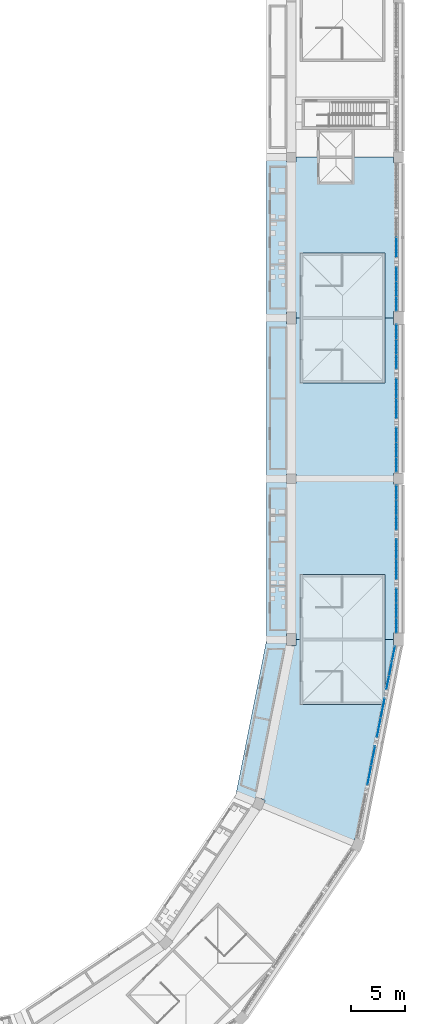
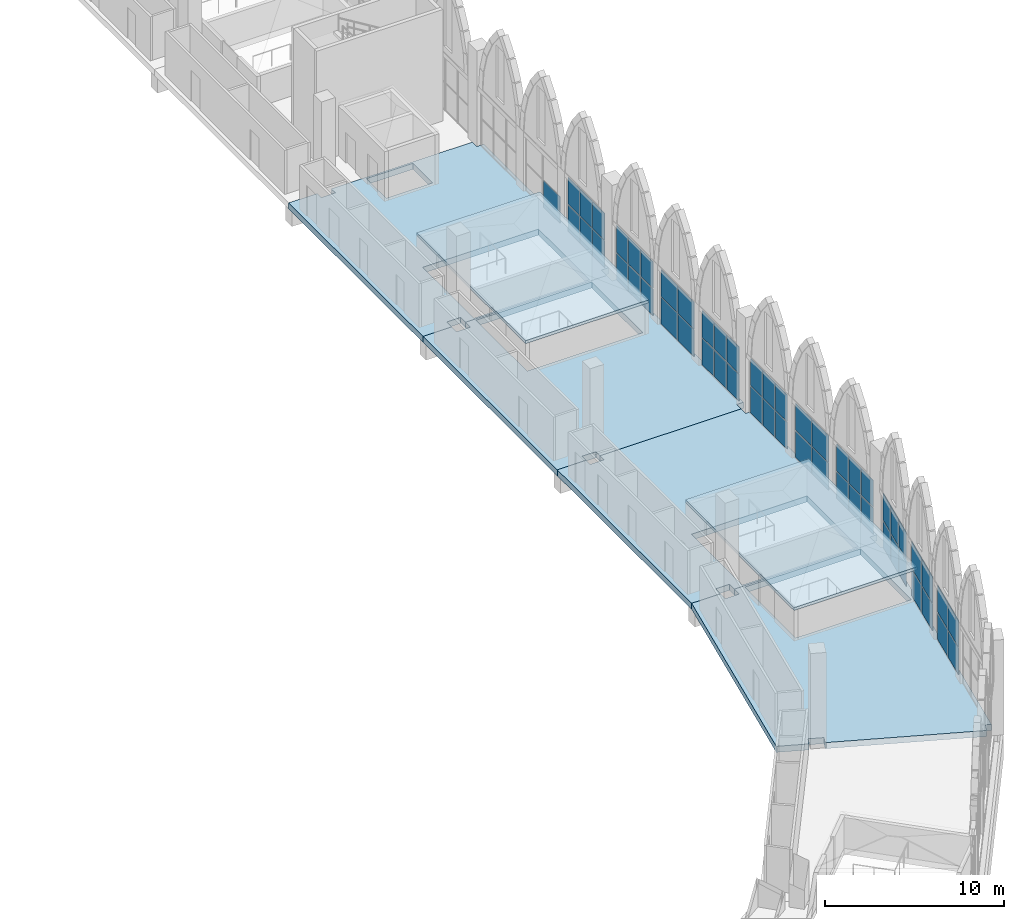
# One storey, part 55 of 130: 53 plates, 6 slabs, 11 elements without a shape of their own.
"""IFC4 building model written with IfcOpenShell, lengths in metres."""

from ifc_helpers import new_model, si_unit, direction, frame, origin, origin_2d, place, context, subcontext, project, spatial, polyline, rectangle, outline, extrude, material, layer, layer_set, type_object, element, aggregate, save


model = new_model("IFC4")

# Units and contexts
model_context = context("Model", 3, precision=1e-05, world=origin(), true_north=direction((0.0, 1.0)))
body_context = subcontext(model_context, "Body", "Model", "MODEL_VIEW")
ifc_project = project(units=[si_unit("LENGTHUNIT", "METRE"), si_unit("AREAUNIT", "SQUARE_METRE"), si_unit("VOLUMEUNIT", "CUBIC_METRE"), si_unit("PLANEANGLEUNIT", "RADIAN"), si_unit("MASSUNIT", "GRAM", prefix="KILO")], contexts=[model_context])

# Site, building, storey
site_placement = place(None, origin())
site = spatial("IfcSite", under=ifc_project, at=site_placement, CompositionType="ELEMENT")
building_placement = place(site_placement, origin())
building = spatial("IfcBuilding", under=site, at=building_placement, Name="Ogive Plaza Stadium", CompositionType="ELEMENT")
storey_placement = place(building_placement, frame((0.0, 0.0, 22.5)))
storey = spatial("IfcBuildingStorey", under=building, at=storey_placement, Name="L05", CompositionType="ELEMENT", Elevation=22.5)

# Slabs
ifc_material_1 = material(Name="Concrete C40/50", Category="concrete")
ifc_layer_1 = layer(ifc_material_1, 0.199951171875)
ifc_layer_set_1 = layer_set([ifc_layer_1], Name="Concrete C40/50")
slab_type_1 = type_object("IfcSlabType", Name="Core roof slab", PredefinedType="ROOF", material=ifc_layer_set_1)
slab_1_placement = place(storey_placement, frame((0.0, 0.0, 2.10009765625)))
element("IfcSlab", 1, at=slab_1_placement, inside=storey, type_object=slab_type_1, Name="Stair core R06 roof", PredefinedType="ROOF", context=body_context, shape_type="SweptSolid", body=[
    extrude(outline(polyline([(74.800048828125, -28.574951171875), (82.760009765625, -28.574951171875), (82.760009765625, -16.425048828125), (74.800048828125, -16.425048828125), (74.800048828125, -28.574951171875)])), origin(), (0.0, 0.0, 1.0), 0.199951171875),
])
slab_2_placement = place(storey_placement, frame((0.0, 0.0, 2.10009765625)))
element("IfcSlab", 2, at=slab_2_placement, inside=storey, type_object=slab_type_1, Name="Stair core R08 roof", PredefinedType="ROOF", context=body_context, shape_type="SweptSolid", body=[
    extrude(outline(polyline([(74.800048828125, -58.574951171875), (82.760009765625, -58.574951171875), (82.760009765625, -46.425048828125), (74.800048828125, -46.425048828125), (74.800048828125, -58.574951171875)])), origin(), (0.0, 0.0, 1.0), 0.199951171875),
])

# Curtain wall, plate
ifc_material_2 = material(Name="Bronze-anodised aluminium with laminated glass", Category="aluminium")
curtain_wall_type = type_object("IfcCurtainWallType", Name="Lancet curtain wall", PredefinedType="NOTDEFINED", material=ifc_material_2)
curtain_wall_1_placement = place(storey_placement, origin())
curtain_wall_1 = element("IfcCurtainWall", 3, at=curtain_wall_1_placement, inside=storey, type_object=curtain_wall_type, Name="CURTAIN WALL B05 L05", PredefinedType="NOTDEFINED")
ifc_material_3 = material(Name="Laminated glass", Category="glass")
ifc_layer_2 = layer(ifc_material_3, 0.028076171875)
ifc_layer_set_2 = layer_set([ifc_layer_2], Name="Laminated glass panel 28")
plate_type = type_object("IfcPlateType", Name="Laminated glass panel 28", PredefinedType="CURTAIN_PANEL", material=ifc_layer_set_2)
plate_1_placement = place(storey_placement, frame((83.800048828125, -15.9375, 0.0498046875), z_axis=(0.0, 0.0, 1.0), x_axis=(0.0, -1.0, 0.0)))
plate_1 = element("IfcPlate", 4, at=plate_1_placement, type_object=plate_type, Name="CW-B05-L05.2 panel 2.1", PredefinedType="CURTAIN_PANEL", context=body_context, shape_type="SweptSolid", body=[
    extrude(rectangle(XDim=1.824951171875, YDim=0.028076171875, at=origin_2d()), origin(), (0.0, 0.0, 1.0), 1.824951171875),
])
aggregate(curtain_wall_1, [plate_1])

# Curtain wall, plates
curtain_wall_2_placement = place(storey_placement, origin())
curtain_wall_2 = element("IfcCurtainWall", 5, at=curtain_wall_2_placement, inside=storey, type_object=curtain_wall_type, Name="CURTAIN WALL B05 L05", PredefinedType="NOTDEFINED")
plate_2_placement = place(storey_placement, frame((83.800048828125, -18.41259765625, 0.0498046875), z_axis=(0.0, 0.0, 1.0), x_axis=(0.0, -1.0, 0.0)))
plate_2 = element("IfcPlate", 6, at=plate_2_placement, type_object=plate_type, Name="CW-B05-L05.3 panel 1.1", PredefinedType="CURTAIN_PANEL", context=body_context, shape_type="SweptSolid", body=[
    extrude(rectangle(XDim=1.324951171875, YDim=0.028076171875, at=origin_2d()), origin(), (0.0, 0.0, 1.0), 1.824951171875),
])
plate_3_placement = place(storey_placement, frame((83.800048828125, -18.41259765625, 1.9248046875), z_axis=(0.0, 0.0, 1.0), x_axis=(0.0, -1.0, 0.0)))
plate_3 = element("IfcPlate", 7, at=plate_3_placement, type_object=plate_type, Name="CW-B05-L05.3 panel 1.2", PredefinedType="CURTAIN_PANEL", context=body_context, shape_type="SweptSolid", body=[
    extrude(rectangle(XDim=1.324951171875, YDim=0.028076171875, at=origin_2d()), origin(), (0.0, 0.0, 1.0), 1.824951171875),
])
plate_4_placement = place(storey_placement, frame((83.800048828125, -19.800048828125, 0.0498046875), z_axis=(0.0, 0.0, 1.0), x_axis=(0.0, -1.0, 0.0)))
plate_4 = element("IfcPlate", 8, at=plate_4_placement, type_object=plate_type, Name="CW-B05-L05.3 panel 2.1", PredefinedType="CURTAIN_PANEL", context=body_context, shape_type="SweptSolid", body=[
    extrude(rectangle(XDim=1.35009765625, YDim=0.028076171875, at=origin_2d()), origin(), (0.0, 0.0, 1.0), 1.824951171875),
])
plate_5_placement = place(storey_placement, frame((83.800048828125, -19.800048828125, 1.9248046875), z_axis=(0.0, 0.0, 1.0), x_axis=(0.0, -1.0, 0.0)))
plate_5 = element("IfcPlate", 9, at=plate_5_placement, type_object=plate_type, Name="CW-B05-L05.3 panel 2.2", PredefinedType="CURTAIN_PANEL", context=body_context, shape_type="SweptSolid", body=[
    extrude(rectangle(XDim=1.35009765625, YDim=0.028076171875, at=origin_2d()), origin(), (0.0, 0.0, 1.0), 1.824951171875),
])
plate_6_placement = place(storey_placement, frame((83.800048828125, -21.1875, 0.0498046875), z_axis=(0.0, 0.0, 1.0), x_axis=(0.0, -1.0, 0.0)))
plate_6 = element("IfcPlate", 10, at=plate_6_placement, type_object=plate_type, Name="CW-B05-L05.3 panel 3.1", PredefinedType="CURTAIN_PANEL", context=body_context, shape_type="SweptSolid", body=[
    extrude(rectangle(XDim=1.324951171875, YDim=0.028076171875, at=origin_2d()), origin(), (0.0, 0.0, 1.0), 1.824951171875),
])
plate_7_placement = place(storey_placement, frame((83.800048828125, -21.1875, 1.9248046875), z_axis=(0.0, 0.0, 1.0), x_axis=(0.0, -1.0, 0.0)))
plate_7 = element("IfcPlate", 11, at=plate_7_placement, type_object=plate_type, Name="CW-B05-L05.3 panel 3.2", PredefinedType="CURTAIN_PANEL", context=body_context, shape_type="SweptSolid", body=[
    extrude(rectangle(XDim=1.324951171875, YDim=0.028076171875, at=origin_2d()), origin(), (0.0, 0.0, 1.0), 1.824951171875),
])
aggregate(curtain_wall_2, [plate_2, plate_3, plate_4, plate_5, plate_6, plate_7])

curtain_wall_3_placement = place(storey_placement, origin())
curtain_wall_3 = element("IfcCurtainWall", 12, at=curtain_wall_3_placement, inside=storey, type_object=curtain_wall_type, Name="CURTAIN WALL B06 L05", PredefinedType="NOTDEFINED")
plate_8_placement = place(storey_placement, frame((83.800048828125, -23.8125, 0.0498046875), z_axis=(0.0, 0.0, 1.0), x_axis=(0.0, -1.0, 0.0)))
plate_8 = element("IfcPlate", 13, at=plate_8_placement, type_object=plate_type, Name="CW-B06-L05.1 panel 1.1", PredefinedType="CURTAIN_PANEL", context=body_context, shape_type="SweptSolid", body=[
    extrude(rectangle(XDim=1.324951171875, YDim=0.028076171875, at=origin_2d()), origin(), (0.0, 0.0, 1.0), 1.824951171875),
])
plate_9_placement = place(storey_placement, frame((83.800048828125, -23.8125, 1.9248046875), z_axis=(0.0, 0.0, 1.0), x_axis=(0.0, -1.0, 0.0)))
plate_9 = element("IfcPlate", 14, at=plate_9_placement, type_object=plate_type, Name="CW-B06-L05.1 panel 1.2", PredefinedType="CURTAIN_PANEL", context=body_context, shape_type="SweptSolid", body=[
    extrude(rectangle(XDim=1.324951171875, YDim=0.028076171875, at=origin_2d()), origin(), (0.0, 0.0, 1.0), 1.824951171875),
])
plate_10_placement = place(storey_placement, frame((83.800048828125, -25.199951171875, 0.0498046875), z_axis=(0.0, 0.0, 1.0), x_axis=(0.0, -1.0, 0.0)))
plate_10 = element("IfcPlate", 15, at=plate_10_placement, type_object=plate_type, Name="CW-B06-L05.1 panel 2.1", PredefinedType="CURTAIN_PANEL", context=body_context, shape_type="SweptSolid", body=[
    extrude(rectangle(XDim=1.35009765625, YDim=0.028076171875, at=origin_2d()), origin(), (0.0, 0.0, 1.0), 1.824951171875),
])
plate_11_placement = place(storey_placement, frame((83.800048828125, -25.199951171875, 1.9248046875), z_axis=(0.0, 0.0, 1.0), x_axis=(0.0, -1.0, 0.0)))
plate_11 = element("IfcPlate", 16, at=plate_11_placement, type_object=plate_type, Name="CW-B06-L05.1 panel 2.2", PredefinedType="CURTAIN_PANEL", context=body_context, shape_type="SweptSolid", body=[
    extrude(rectangle(XDim=1.35009765625, YDim=0.028076171875, at=origin_2d()), origin(), (0.0, 0.0, 1.0), 1.824951171875),
])
plate_12_placement = place(storey_placement, frame((83.800048828125, -26.58740234375, 0.0498046875), z_axis=(0.0, 0.0, 1.0), x_axis=(0.0, -1.0, 0.0)))
plate_12 = element("IfcPlate", 17, at=plate_12_placement, type_object=plate_type, Name="CW-B06-L05.1 panel 3.1", PredefinedType="CURTAIN_PANEL", context=body_context, shape_type="SweptSolid", body=[
    extrude(rectangle(XDim=1.324951171875, YDim=0.028076171875, at=origin_2d()), origin(), (0.0, 0.0, 1.0), 1.824951171875),
])
plate_13_placement = place(storey_placement, frame((83.800048828125, -26.58740234375, 1.9248046875), z_axis=(0.0, 0.0, 1.0), x_axis=(0.0, -1.0, 0.0)))
plate_13 = element("IfcPlate", 18, at=plate_13_placement, type_object=plate_type, Name="CW-B06-L05.1 panel 3.2", PredefinedType="CURTAIN_PANEL", context=body_context, shape_type="SweptSolid", body=[
    extrude(rectangle(XDim=1.324951171875, YDim=0.028076171875, at=origin_2d()), origin(), (0.0, 0.0, 1.0), 1.824951171875),
])
aggregate(curtain_wall_3, [plate_8, plate_9, plate_10, plate_11, plate_12, plate_13])

curtain_wall_4_placement = place(storey_placement, origin())
curtain_wall_4 = element("IfcCurtainWall", 19, at=curtain_wall_4_placement, inside=storey, type_object=curtain_wall_type, Name="CURTAIN WALL B06 L05", PredefinedType="NOTDEFINED")
plate_14_placement = place(storey_placement, frame((83.800048828125, -29.0625, 0.0498046875), z_axis=(0.0, 0.0, 1.0), x_axis=(0.0, -1.0, 0.0)))
plate_14 = element("IfcPlate", 20, at=plate_14_placement, type_object=plate_type, Name="CW-B06-L05.2 panel 1.1", PredefinedType="CURTAIN_PANEL", context=body_context, shape_type="SweptSolid", body=[
    extrude(rectangle(XDim=1.824951171875, YDim=0.028076171875, at=origin_2d()), origin(), (0.0, 0.0, 1.0), 1.824951171875),
])
plate_15_placement = place(storey_placement, frame((83.800048828125, -29.0625, 1.9248046875), z_axis=(0.0, 0.0, 1.0), x_axis=(0.0, -1.0, 0.0)))
plate_15 = element("IfcPlate", 21, at=plate_15_placement, type_object=plate_type, Name="CW-B06-L05.2 panel 1.2", PredefinedType="CURTAIN_PANEL", context=body_context, shape_type="SweptSolid", body=[
    extrude(rectangle(XDim=1.824951171875, YDim=0.028076171875, at=origin_2d()), origin(), (0.0, 0.0, 1.0), 1.824951171875),
])
plate_16_placement = place(storey_placement, frame((83.800048828125, -30.9375, 0.0498046875), z_axis=(0.0, 0.0, 1.0), x_axis=(0.0, -1.0, 0.0)))
plate_16 = element("IfcPlate", 22, at=plate_16_placement, type_object=plate_type, Name="CW-B06-L05.2 panel 2.1", PredefinedType="CURTAIN_PANEL", context=body_context, shape_type="SweptSolid", body=[
    extrude(rectangle(XDim=1.824951171875, YDim=0.028076171875, at=origin_2d()), origin(), (0.0, 0.0, 1.0), 1.824951171875),
])
plate_17_placement = place(storey_placement, frame((83.800048828125, -30.9375, 1.9248046875), z_axis=(0.0, 0.0, 1.0), x_axis=(0.0, -1.0, 0.0)))
plate_17 = element("IfcPlate", 23, at=plate_17_placement, type_object=plate_type, Name="CW-B06-L05.2 panel 2.2", PredefinedType="CURTAIN_PANEL", context=body_context, shape_type="SweptSolid", body=[
    extrude(rectangle(XDim=1.824951171875, YDim=0.028076171875, at=origin_2d()), origin(), (0.0, 0.0, 1.0), 1.824951171875),
])
aggregate(curtain_wall_4, [plate_14, plate_15, plate_16, plate_17])

curtain_wall_5_placement = place(storey_placement, origin())
curtain_wall_5 = element("IfcCurtainWall", 24, at=curtain_wall_5_placement, inside=storey, type_object=curtain_wall_type, Name="CURTAIN WALL B06 L05", PredefinedType="NOTDEFINED")
plate_18_placement = place(storey_placement, frame((83.800048828125, -33.41259765625, 0.0498046875), z_axis=(0.0, 0.0, 1.0), x_axis=(0.0, -1.0, 0.0)))
plate_18 = element("IfcPlate", 25, at=plate_18_placement, type_object=plate_type, Name="CW-B06-L05.3 panel 1.1", PredefinedType="CURTAIN_PANEL", context=body_context, shape_type="SweptSolid", body=[
    extrude(rectangle(XDim=1.324951171875, YDim=0.028076171875, at=origin_2d()), origin(), (0.0, 0.0, 1.0), 1.824951171875),
])
plate_19_placement = place(storey_placement, frame((83.800048828125, -33.41259765625, 1.9248046875), z_axis=(0.0, 0.0, 1.0), x_axis=(0.0, -1.0, 0.0)))
plate_19 = element("IfcPlate", 26, at=plate_19_placement, type_object=plate_type, Name="CW-B06-L05.3 panel 1.2", PredefinedType="CURTAIN_PANEL", context=body_context, shape_type="SweptSolid", body=[
    extrude(rectangle(XDim=1.324951171875, YDim=0.028076171875, at=origin_2d()), origin(), (0.0, 0.0, 1.0), 1.824951171875),
])
plate_20_placement = place(storey_placement, frame((83.800048828125, -34.800048828125, 0.0498046875), z_axis=(0.0, 0.0, 1.0), x_axis=(0.0, -1.0, 0.0)))
plate_20 = element("IfcPlate", 27, at=plate_20_placement, type_object=plate_type, Name="CW-B06-L05.3 panel 2.1", PredefinedType="CURTAIN_PANEL", context=body_context, shape_type="SweptSolid", body=[
    extrude(rectangle(XDim=1.35009765625, YDim=0.028076171875, at=origin_2d()), origin(), (0.0, 0.0, 1.0), 1.824951171875),
])
plate_21_placement = place(storey_placement, frame((83.800048828125, -34.800048828125, 1.9248046875), z_axis=(0.0, 0.0, 1.0), x_axis=(0.0, -1.0, 0.0)))
plate_21 = element("IfcPlate", 28, at=plate_21_placement, type_object=plate_type, Name="CW-B06-L05.3 panel 2.2", PredefinedType="CURTAIN_PANEL", context=body_context, shape_type="SweptSolid", body=[
    extrude(rectangle(XDim=1.35009765625, YDim=0.028076171875, at=origin_2d()), origin(), (0.0, 0.0, 1.0), 1.824951171875),
])
plate_22_placement = place(storey_placement, frame((83.800048828125, -36.1875, 0.0498046875), z_axis=(0.0, 0.0, 1.0), x_axis=(0.0, -1.0, 0.0)))
plate_22 = element("IfcPlate", 29, at=plate_22_placement, type_object=plate_type, Name="CW-B06-L05.3 panel 3.1", PredefinedType="CURTAIN_PANEL", context=body_context, shape_type="SweptSolid", body=[
    extrude(rectangle(XDim=1.324951171875, YDim=0.028076171875, at=origin_2d()), origin(), (0.0, 0.0, 1.0), 1.824951171875),
])
plate_23_placement = place(storey_placement, frame((83.800048828125, -36.1875, 1.9248046875), z_axis=(0.0, 0.0, 1.0), x_axis=(0.0, -1.0, 0.0)))
plate_23 = element("IfcPlate", 30, at=plate_23_placement, type_object=plate_type, Name="CW-B06-L05.3 panel 3.2", PredefinedType="CURTAIN_PANEL", context=body_context, shape_type="SweptSolid", body=[
    extrude(rectangle(XDim=1.324951171875, YDim=0.028076171875, at=origin_2d()), origin(), (0.0, 0.0, 1.0), 1.824951171875),
])
aggregate(curtain_wall_5, [plate_18, plate_19, plate_20, plate_21, plate_22, plate_23])

curtain_wall_6_placement = place(storey_placement, origin())
curtain_wall_6 = element("IfcCurtainWall", 31, at=curtain_wall_6_placement, inside=storey, type_object=curtain_wall_type, Name="CURTAIN WALL B07 L05", PredefinedType="NOTDEFINED")
plate_24_placement = place(storey_placement, frame((83.800048828125, -38.8125, 0.0498046875), z_axis=(0.0, 0.0, 1.0), x_axis=(0.0, -1.0, 0.0)))
plate_24 = element("IfcPlate", 32, at=plate_24_placement, type_object=plate_type, Name="CW-B07-L05.1 panel 1.1", PredefinedType="CURTAIN_PANEL", context=body_context, shape_type="SweptSolid", body=[
    extrude(rectangle(XDim=1.324951171875, YDim=0.028076171875, at=origin_2d()), origin(), (0.0, 0.0, 1.0), 1.824951171875),
])
plate_25_placement = place(storey_placement, frame((83.800048828125, -38.8125, 1.9248046875), z_axis=(0.0, 0.0, 1.0), x_axis=(0.0, -1.0, 0.0)))
plate_25 = element("IfcPlate", 33, at=plate_25_placement, type_object=plate_type, Name="CW-B07-L05.1 panel 1.2", PredefinedType="CURTAIN_PANEL", context=body_context, shape_type="SweptSolid", body=[
    extrude(rectangle(XDim=1.324951171875, YDim=0.028076171875, at=origin_2d()), origin(), (0.0, 0.0, 1.0), 1.824951171875),
])
plate_26_placement = place(storey_placement, frame((83.800048828125, -40.199951171875, 0.0498046875), z_axis=(0.0, 0.0, 1.0), x_axis=(0.0, -1.0, 0.0)))
plate_26 = element("IfcPlate", 34, at=plate_26_placement, type_object=plate_type, Name="CW-B07-L05.1 panel 2.1", PredefinedType="CURTAIN_PANEL", context=body_context, shape_type="SweptSolid", body=[
    extrude(rectangle(XDim=1.35009765625, YDim=0.028076171875, at=origin_2d()), origin(), (0.0, 0.0, 1.0), 1.824951171875),
])
plate_27_placement = place(storey_placement, frame((83.800048828125, -40.199951171875, 1.9248046875), z_axis=(0.0, 0.0, 1.0), x_axis=(0.0, -1.0, 0.0)))
plate_27 = element("IfcPlate", 35, at=plate_27_placement, type_object=plate_type, Name="CW-B07-L05.1 panel 2.2", PredefinedType="CURTAIN_PANEL", context=body_context, shape_type="SweptSolid", body=[
    extrude(rectangle(XDim=1.35009765625, YDim=0.028076171875, at=origin_2d()), origin(), (0.0, 0.0, 1.0), 1.824951171875),
])
plate_28_placement = place(storey_placement, frame((83.800048828125, -41.58740234375, 0.0498046875), z_axis=(0.0, 0.0, 1.0), x_axis=(0.0, -1.0, 0.0)))
plate_28 = element("IfcPlate", 36, at=plate_28_placement, type_object=plate_type, Name="CW-B07-L05.1 panel 3.1", PredefinedType="CURTAIN_PANEL", context=body_context, shape_type="SweptSolid", body=[
    extrude(rectangle(XDim=1.324951171875, YDim=0.028076171875, at=origin_2d()), origin(), (0.0, 0.0, 1.0), 1.824951171875),
])
plate_29_placement = place(storey_placement, frame((83.800048828125, -41.58740234375, 1.9248046875), z_axis=(0.0, 0.0, 1.0), x_axis=(0.0, -1.0, 0.0)))
plate_29 = element("IfcPlate", 37, at=plate_29_placement, type_object=plate_type, Name="CW-B07-L05.1 panel 3.2", PredefinedType="CURTAIN_PANEL", context=body_context, shape_type="SweptSolid", body=[
    extrude(rectangle(XDim=1.324951171875, YDim=0.028076171875, at=origin_2d()), origin(), (0.0, 0.0, 1.0), 1.824951171875),
])
aggregate(curtain_wall_6, [plate_24, plate_25, plate_26, plate_27, plate_28, plate_29])

curtain_wall_7_placement = place(storey_placement, origin())
curtain_wall_7 = element("IfcCurtainWall", 38, at=curtain_wall_7_placement, inside=storey, type_object=curtain_wall_type, Name="CURTAIN WALL B07 L05", PredefinedType="NOTDEFINED")
plate_30_placement = place(storey_placement, frame((83.800048828125, -44.0625, 0.0498046875), z_axis=(0.0, 0.0, 1.0), x_axis=(0.0, -1.0, 0.0)))
plate_30 = element("IfcPlate", 39, at=plate_30_placement, type_object=plate_type, Name="CW-B07-L05.2 panel 1.1", PredefinedType="CURTAIN_PANEL", context=body_context, shape_type="SweptSolid", body=[
    extrude(rectangle(XDim=1.824951171875, YDim=0.028076171875, at=origin_2d()), origin(), (0.0, 0.0, 1.0), 1.824951171875),
])
plate_31_placement = place(storey_placement, frame((83.800048828125, -44.0625, 1.9248046875), z_axis=(0.0, 0.0, 1.0), x_axis=(0.0, -1.0, 0.0)))
plate_31 = element("IfcPlate", 40, at=plate_31_placement, type_object=plate_type, Name="CW-B07-L05.2 panel 1.2", PredefinedType="CURTAIN_PANEL", context=body_context, shape_type="SweptSolid", body=[
    extrude(rectangle(XDim=1.824951171875, YDim=0.028076171875, at=origin_2d()), origin(), (0.0, 0.0, 1.0), 1.824951171875),
])
plate_32_placement = place(storey_placement, frame((83.800048828125, -45.9375, 0.0498046875), z_axis=(0.0, 0.0, 1.0), x_axis=(0.0, -1.0, 0.0)))
plate_32 = element("IfcPlate", 41, at=plate_32_placement, type_object=plate_type, Name="CW-B07-L05.2 panel 2.1", PredefinedType="CURTAIN_PANEL", context=body_context, shape_type="SweptSolid", body=[
    extrude(rectangle(XDim=1.824951171875, YDim=0.028076171875, at=origin_2d()), origin(), (0.0, 0.0, 1.0), 1.824951171875),
])
plate_33_placement = place(storey_placement, frame((83.800048828125, -45.9375, 1.9248046875), z_axis=(0.0, 0.0, 1.0), x_axis=(0.0, -1.0, 0.0)))
plate_33 = element("IfcPlate", 42, at=plate_33_placement, type_object=plate_type, Name="CW-B07-L05.2 panel 2.2", PredefinedType="CURTAIN_PANEL", context=body_context, shape_type="SweptSolid", body=[
    extrude(rectangle(XDim=1.824951171875, YDim=0.028076171875, at=origin_2d()), origin(), (0.0, 0.0, 1.0), 1.824951171875),
])
aggregate(curtain_wall_7, [plate_30, plate_31, plate_32, plate_33])

curtain_wall_8_placement = place(storey_placement, origin())
curtain_wall_8 = element("IfcCurtainWall", 43, at=curtain_wall_8_placement, inside=storey, type_object=curtain_wall_type, Name="CURTAIN WALL B07 L05", PredefinedType="NOTDEFINED")
plate_34_placement = place(storey_placement, frame((83.800048828125, -48.41259765625, 0.0498046875), z_axis=(0.0, 0.0, 1.0), x_axis=(0.0, -1.0, 0.0)))
plate_34 = element("IfcPlate", 44, at=plate_34_placement, type_object=plate_type, Name="CW-B07-L05.3 panel 1.1", PredefinedType="CURTAIN_PANEL", context=body_context, shape_type="SweptSolid", body=[
    extrude(rectangle(XDim=1.324951171875, YDim=0.028076171875, at=origin_2d()), origin(), (0.0, 0.0, 1.0), 1.824951171875),
])
plate_35_placement = place(storey_placement, frame((83.800048828125, -48.41259765625, 1.9248046875), z_axis=(0.0, 0.0, 1.0), x_axis=(0.0, -1.0, 0.0)))
plate_35 = element("IfcPlate", 45, at=plate_35_placement, type_object=plate_type, Name="CW-B07-L05.3 panel 1.2", PredefinedType="CURTAIN_PANEL", context=body_context, shape_type="SweptSolid", body=[
    extrude(rectangle(XDim=1.324951171875, YDim=0.028076171875, at=origin_2d()), origin(), (0.0, 0.0, 1.0), 1.824951171875),
])
plate_36_placement = place(storey_placement, frame((83.800048828125, -49.800048828125, 0.0498046875), z_axis=(0.0, 0.0, 1.0), x_axis=(0.0, -1.0, 0.0)))
plate_36 = element("IfcPlate", 46, at=plate_36_placement, type_object=plate_type, Name="CW-B07-L05.3 panel 2.1", PredefinedType="CURTAIN_PANEL", context=body_context, shape_type="SweptSolid", body=[
    extrude(rectangle(XDim=1.35009765625, YDim=0.028076171875, at=origin_2d()), origin(), (0.0, 0.0, 1.0), 1.824951171875),
])
plate_37_placement = place(storey_placement, frame((83.800048828125, -49.800048828125, 1.9248046875), z_axis=(0.0, 0.0, 1.0), x_axis=(0.0, -1.0, 0.0)))
plate_37 = element("IfcPlate", 47, at=plate_37_placement, type_object=plate_type, Name="CW-B07-L05.3 panel 2.2", PredefinedType="CURTAIN_PANEL", context=body_context, shape_type="SweptSolid", body=[
    extrude(rectangle(XDim=1.35009765625, YDim=0.028076171875, at=origin_2d()), origin(), (0.0, 0.0, 1.0), 1.824951171875),
])
plate_38_placement = place(storey_placement, frame((83.800048828125, -51.1875, 0.0498046875), z_axis=(0.0, 0.0, 1.0), x_axis=(0.0, -1.0, 0.0)))
plate_38 = element("IfcPlate", 48, at=plate_38_placement, type_object=plate_type, Name="CW-B07-L05.3 panel 3.1", PredefinedType="CURTAIN_PANEL", context=body_context, shape_type="SweptSolid", body=[
    extrude(rectangle(XDim=1.324951171875, YDim=0.028076171875, at=origin_2d()), origin(), (0.0, 0.0, 1.0), 1.824951171875),
])
plate_39_placement = place(storey_placement, frame((83.800048828125, -51.1875, 1.9248046875), z_axis=(0.0, 0.0, 1.0), x_axis=(0.0, -1.0, 0.0)))
plate_39 = element("IfcPlate", 49, at=plate_39_placement, type_object=plate_type, Name="CW-B07-L05.3 panel 3.2", PredefinedType="CURTAIN_PANEL", context=body_context, shape_type="SweptSolid", body=[
    extrude(rectangle(XDim=1.324951171875, YDim=0.028076171875, at=origin_2d()), origin(), (0.0, 0.0, 1.0), 1.824951171875),
])
aggregate(curtain_wall_8, [plate_34, plate_35, plate_36, plate_37, plate_38, plate_39])

curtain_wall_9_placement = place(storey_placement, origin())
curtain_wall_9 = element("IfcCurtainWall", 50, at=curtain_wall_9_placement, inside=storey, type_object=curtain_wall_type, Name="CURTAIN WALL B08 L05", PredefinedType="NOTDEFINED")
plate_40_placement = place(storey_placement, frame((83.5322265625, -53.82666015625, 0.0498046875), z_axis=(0.0, 0.0, 1.0), x_axis=(-0.195090322016, -0.980785280403, 0.0)))
plate_40 = element("IfcPlate", 51, at=plate_40_placement, type_object=plate_type, Name="CW-B08-L05.1 panel 1.1", PredefinedType="CURTAIN_PANEL", context=body_context, shape_type="SweptSolid", body=[
    extrude(rectangle(XDim=1.30224609375, YDim=0.028076171875, at=origin_2d()), origin(), (0.0, 0.0, 1.0), 1.824951171875),
])
plate_41_placement = place(storey_placement, frame((83.5322265625, -53.82666015625, 1.9248046875), z_axis=(0.0, 0.0, 1.0), x_axis=(-0.195090322016, -0.980785280403, 0.0)))
plate_41 = element("IfcPlate", 52, at=plate_41_placement, type_object=plate_type, Name="CW-B08-L05.1 panel 1.2", PredefinedType="CURTAIN_PANEL", context=body_context, shape_type="SweptSolid", body=[
    extrude(rectangle(XDim=1.30224609375, YDim=0.028076171875, at=origin_2d()), origin(), (0.0, 0.0, 1.0), 1.824951171875),
])
plate_42_placement = place(storey_placement, frame((83.265869140625, -55.1650390625, 0.0498046875), z_axis=(0.0, 0.0, 1.0), x_axis=(-0.195090322016, -0.980785280403, 0.0)))
plate_42 = element("IfcPlate", 53, at=plate_42_placement, type_object=plate_type, Name="CW-B08-L05.1 panel 2.1", PredefinedType="CURTAIN_PANEL", context=body_context, shape_type="SweptSolid", body=[
    extrude(rectangle(XDim=1.3271484375, YDim=0.028076171875, at=origin_2d()), origin(), (0.0, 0.0, 1.0), 1.824951171875),
])
plate_43_placement = place(storey_placement, frame((83.265869140625, -55.1650390625, 1.9248046875), z_axis=(0.0, 0.0, 1.0), x_axis=(-0.195090322016, -0.980785280403, 0.0)))
plate_43 = element("IfcPlate", 54, at=plate_43_placement, type_object=plate_type, Name="CW-B08-L05.1 panel 2.2", PredefinedType="CURTAIN_PANEL", context=body_context, shape_type="SweptSolid", body=[
    extrude(rectangle(XDim=1.3271484375, YDim=0.028076171875, at=origin_2d()), origin(), (0.0, 0.0, 1.0), 1.824951171875),
])
plate_44_placement = place(storey_placement, frame((82.999755859375, -56.503662109375, 0.0498046875), z_axis=(0.0, 0.0, 1.0), x_axis=(-0.195090322016, -0.980785280403, 0.0)))
plate_44 = element("IfcPlate", 55, at=plate_44_placement, type_object=plate_type, Name="CW-B08-L05.1 panel 3.1", PredefinedType="CURTAIN_PANEL", context=body_context, shape_type="SweptSolid", body=[
    extrude(rectangle(XDim=1.30224609375, YDim=0.028076171875, at=origin_2d()), origin(), (0.0, 0.0, 1.0), 1.824951171875),
])
plate_45_placement = place(storey_placement, frame((82.999755859375, -56.503662109375, 1.9248046875), z_axis=(0.0, 0.0, 1.0), x_axis=(-0.195090322016, -0.980785280403, 0.0)))
plate_45 = element("IfcPlate", 56, at=plate_45_placement, type_object=plate_type, Name="CW-B08-L05.1 panel 3.2", PredefinedType="CURTAIN_PANEL", context=body_context, shape_type="SweptSolid", body=[
    extrude(rectangle(XDim=1.30224609375, YDim=0.028076171875, at=origin_2d()), origin(), (0.0, 0.0, 1.0), 1.824951171875),
])
aggregate(curtain_wall_9, [plate_40, plate_41, plate_42, plate_43, plate_44, plate_45])

curtain_wall_10_placement = place(storey_placement, origin())
curtain_wall_10 = element("IfcCurtainWall", 57, at=curtain_wall_10_placement, inside=storey, type_object=curtain_wall_type, Name="CURTAIN WALL B08 L05", PredefinedType="NOTDEFINED")
plate_46_placement = place(storey_placement, frame((82.5224609375, -58.903076171875, 0.0498046875), z_axis=(0.0, 0.0, 1.0), x_axis=(-0.195090321948, -0.980785280417, 0.0)))
plate_46 = element("IfcPlate", 58, at=plate_46_placement, type_object=plate_type, Name="CW-B08-L05.2 panel 1.1", PredefinedType="CURTAIN_PANEL", context=body_context, shape_type="SweptSolid", body=[
    extrude(rectangle(XDim=1.790771484375, YDim=0.028076171875, at=origin_2d()), origin(), (0.0, 0.0, 1.0), 1.824951171875),
])
plate_47_placement = place(storey_placement, frame((82.5224609375, -58.903076171875, 1.9248046875), z_axis=(0.0, 0.0, 1.0), x_axis=(-0.195090321948, -0.980785280417, 0.0)))
plate_47 = element("IfcPlate", 59, at=plate_47_placement, type_object=plate_type, Name="CW-B08-L05.2 panel 1.2", PredefinedType="CURTAIN_PANEL", context=body_context, shape_type="SweptSolid", body=[
    extrude(rectangle(XDim=1.790771484375, YDim=0.028076171875, at=origin_2d()), origin(), (0.0, 0.0, 1.0), 1.824951171875),
])
plate_48_placement = place(storey_placement, frame((82.163330078125, -60.70849609375, 0.0498046875), z_axis=(0.0, 0.0, 1.0), x_axis=(-0.195090321948, -0.980785280417, 0.0)))
plate_48 = element("IfcPlate", 60, at=plate_48_placement, type_object=plate_type, Name="CW-B08-L05.2 panel 2.1", PredefinedType="CURTAIN_PANEL", context=body_context, shape_type="SweptSolid", body=[
    extrude(rectangle(XDim=1.790771484375, YDim=0.028076171875, at=origin_2d()), origin(), (0.0, 0.0, 1.0), 1.824951171875),
])
plate_49_placement = place(storey_placement, frame((82.163330078125, -60.70849609375, 1.9248046875), z_axis=(0.0, 0.0, 1.0), x_axis=(-0.195090321948, -0.980785280417, 0.0)))
plate_49 = element("IfcPlate", 61, at=plate_49_placement, type_object=plate_type, Name="CW-B08-L05.2 panel 2.2", PredefinedType="CURTAIN_PANEL", context=body_context, shape_type="SweptSolid", body=[
    extrude(rectangle(XDim=1.790771484375, YDim=0.028076171875, at=origin_2d()), origin(), (0.0, 0.0, 1.0), 1.824951171875),
])
aggregate(curtain_wall_10, [plate_46, plate_47, plate_48, plate_49])

curtain_wall_11_placement = place(storey_placement, origin())
curtain_wall_11 = element("IfcCurtainWall", 62, at=curtain_wall_11_placement, inside=storey, type_object=curtain_wall_type, Name="CURTAIN WALL B08 L05", PredefinedType="NOTDEFINED")
plate_50_placement = place(storey_placement, frame((81.638427734375, -63.34765625, 0.0498046875), z_axis=(0.0, 0.0, 1.0), x_axis=(-0.195090321948, -0.980785280417, 0.0)))
plate_50 = element("IfcPlate", 63, at=plate_50_placement, type_object=plate_type, Name="CW-B08-L05.3 panel 1.1", PredefinedType="CURTAIN_PANEL", context=body_context, shape_type="SweptSolid", body=[
    extrude(rectangle(XDim=1.790771484375, YDim=0.028076171875, at=origin_2d()), origin(), (0.0, 0.0, 1.0), 1.824951171875),
])
plate_51_placement = place(storey_placement, frame((81.638427734375, -63.34765625, 1.9248046875), z_axis=(0.0, 0.0, 1.0), x_axis=(-0.195090321948, -0.980785280417, 0.0)))
plate_51 = element("IfcPlate", 64, at=plate_51_placement, type_object=plate_type, Name="CW-B08-L05.3 panel 1.2", PredefinedType="CURTAIN_PANEL", context=body_context, shape_type="SweptSolid", body=[
    extrude(rectangle(XDim=1.790771484375, YDim=0.028076171875, at=origin_2d()), origin(), (0.0, 0.0, 1.0), 1.824951171875),
])
plate_52_placement = place(storey_placement, frame((81.279296875, -65.153076171875, 0.0498046875), z_axis=(0.0, 0.0, 1.0), x_axis=(-0.195090321948, -0.980785280417, 0.0)))
plate_52 = element("IfcPlate", 65, at=plate_52_placement, type_object=plate_type, Name="CW-B08-L05.3 panel 2.1", PredefinedType="CURTAIN_PANEL", context=body_context, shape_type="SweptSolid", body=[
    extrude(rectangle(XDim=1.790771484375, YDim=0.028076171875, at=origin_2d()), origin(), (0.0, 0.0, 1.0), 1.824951171875),
])
plate_53_placement = place(storey_placement, frame((81.279296875, -65.153076171875, 1.9248046875), z_axis=(0.0, 0.0, 1.0), x_axis=(-0.195090321948, -0.980785280417, 0.0)))
plate_53 = element("IfcPlate", 66, at=plate_53_placement, type_object=plate_type, Name="CW-B08-L05.3 panel 2.2", PredefinedType="CURTAIN_PANEL", context=body_context, shape_type="SweptSolid", body=[
    extrude(rectangle(XDim=1.790771484375, YDim=0.028076171875, at=origin_2d()), origin(), (0.0, 0.0, 1.0), 1.824951171875),
])
aggregate(curtain_wall_11, [plate_50, plate_51, plate_52, plate_53])

# Slabs
ifc_material_4 = material(Name="Concrete C40/50", Category="concrete")
ifc_layer_3 = layer(ifc_material_4, 0.409912109375)
ifc_layer_set_3 = layer_set([ifc_layer_3], Name="Concrete C40/50")
slab_type_2 = type_object("IfcSlabType", Name="RC floor slab 410", PredefinedType="FLOOR", material=ifc_layer_set_3)
slab_3_placement = place(storey_placement, frame((0.0, 0.0, -0.409912109375)))
element("IfcSlab", 67, at=slab_3_placement, inside=storey, type_object=slab_type_2, Name="Floor slab L05 B05", PredefinedType="FLOOR", context=body_context, shape_type="SweptSolid", body=[
    extrude(outline(polyline([(73.550048828125, -22.5), (73.550048828125, -21.949951171875), (74.449951171875, -21.949951171875), (74.449951171875, -22.5), (83.550048828125, -22.5), (83.550048828125, -21.89990234375), (84.0, -21.89990234375), (84.0, -8.0), (83.550048828125, -8.0), (83.550048828125, -7.5), (74.449951171875, -7.5), (74.449951171875, -7.949951171875), (73.550048828125, -7.949951171875), (73.550048828125, -7.5), (71.699951171875, -7.5), (71.699951171875, -22.5), (73.550048828125, -22.5)]), holes=[polyline([(75.050048828125, -16.675048828125), (75.050048828125, -22.375), (82.510009765625, -22.375), (82.510009765625, -16.675048828125), (75.050048828125, -16.675048828125)]), polyline([(76.64990234375, -7.625), (76.64990234375, -9.824951171875), (79.64990234375, -9.824951171875), (79.64990234375, -7.625), (76.64990234375, -7.625)])]), origin(), (0.0, 0.0, 1.0), 0.409912109375),
])
slab_4_placement = place(storey_placement, frame((0.0, 0.0, -0.409912109375)))
element("IfcSlab", 68, at=slab_4_placement, inside=storey, type_object=slab_type_2, Name="Floor slab L05 B06", PredefinedType="FLOOR", context=body_context, shape_type="SweptSolid", body=[
    extrude(outline(polyline([(73.550048828125, -37.5), (73.550048828125, -37.050048828125), (74.449951171875, -37.050048828125), (74.449951171875, -37.5), (83.550048828125, -37.5), (83.550048828125, -37.0), (84.0, -37.0), (84.0, -23.10009765625), (83.550048828125, -23.10009765625), (83.550048828125, -22.5), (74.449951171875, -22.5), (74.449951171875, -23.050048828125), (73.550048828125, -23.050048828125), (73.550048828125, -22.5), (71.699951171875, -22.5), (71.699951171875, -37.5), (73.550048828125, -37.5)]), holes=[polyline([(75.050048828125, -22.625), (75.050048828125, -28.324951171875), (82.510009765625, -28.324951171875), (82.510009765625, -22.625), (75.050048828125, -22.625)])]), origin(), (0.0, 0.0, 1.0), 0.409912109375),
])
slab_5_placement = place(storey_placement, frame((0.0, 0.0, -0.409912109375)))
element("IfcSlab", 69, at=slab_5_placement, inside=storey, type_object=slab_type_2, Name="Floor slab L05 B07", PredefinedType="FLOOR", context=body_context, shape_type="SweptSolid", body=[
    extrude(outline(polyline([(73.550048828125, -52.5), (73.550048828125, -51.949951171875), (74.449951171875, -51.949951171875), (74.449951171875, -52.5), (83.550048828125, -52.5), (83.550048828125, -51.89990234375), (84.0, -51.89990234375), (84.0, -38.0), (83.550048828125, -38.0), (83.550048828125, -37.5), (74.449951171875, -37.5), (74.449951171875, -37.949951171875), (73.550048828125, -37.949951171875), (73.550048828125, -37.5), (71.699951171875, -37.5), (71.699951171875, -52.5), (73.550048828125, -52.5)]), holes=[polyline([(75.050048828125, -46.675048828125), (75.050048828125, -52.375), (82.510009765625, -52.375), (82.510009765625, -46.675048828125), (75.050048828125, -46.675048828125)])]), origin(), (0.0, 0.0, 1.0), 0.409912109375),
])
slab_6_placement = place(storey_placement, frame((0.0, 0.0, -0.409912109375)))
element("IfcSlab", 70, at=slab_6_placement, inside=storey, type_object=slab_type_2, Name="Floor slab L05 B08", PredefinedType="FLOOR", context=body_context, shape_type="SweptSolid", body=[
    extrude(outline(polyline([(70.53955078125, -67.635009765625), (70.730712890625, -67.173095703125), (71.562255859375, -67.517578125), (71.370849609375, -67.9794921875), (79.7783203125, -71.4619140625), (79.98876953125, -70.953857421875), (80.303466796875, -71.084228515625), (83.880615234375, -53.10009765625), (83.550048828125, -53.10009765625), (83.550048828125, -52.5), (74.449951171875, -52.5), (74.449951171875, -53.050048828125), (73.550048828125, -53.050048828125), (73.550048828125, -52.5), (71.699951171875, -52.5), (68.830322265625, -66.92724609375), (70.53955078125, -67.635009765625)]), holes=[polyline([(75.050048828125, -58.324951171875), (82.510009765625, -58.324951171875), (82.510009765625, -52.625), (75.050048828125, -52.625), (75.050048828125, -58.324951171875)])]), origin(), (0.0, 0.0, 1.0), 0.409912109375),
])

save(model, "model.ifc")
